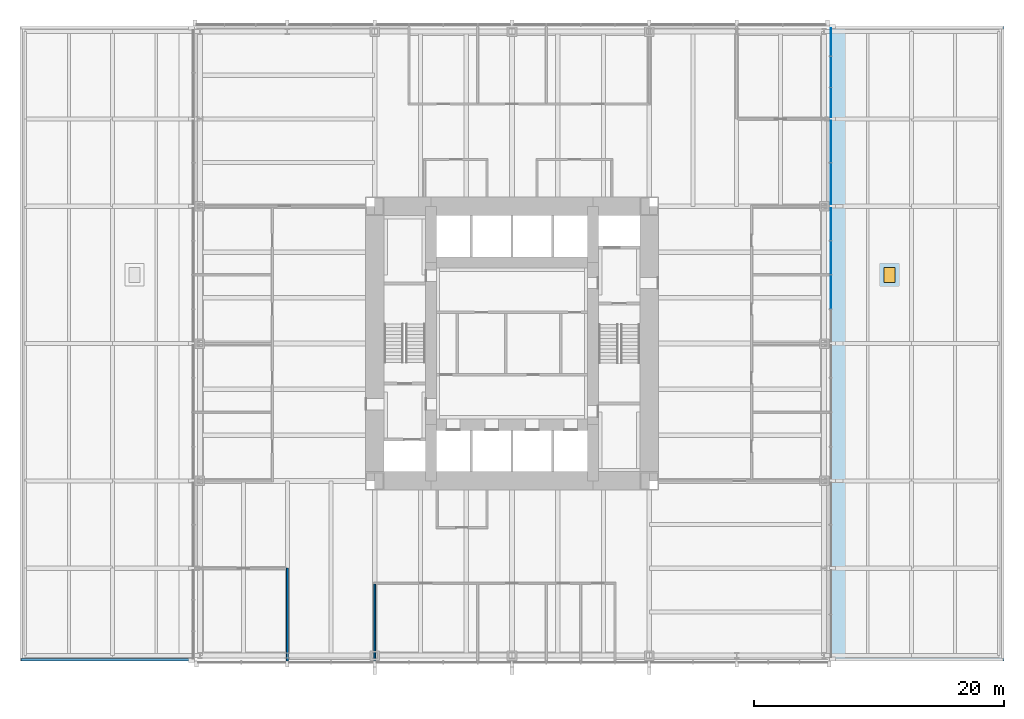
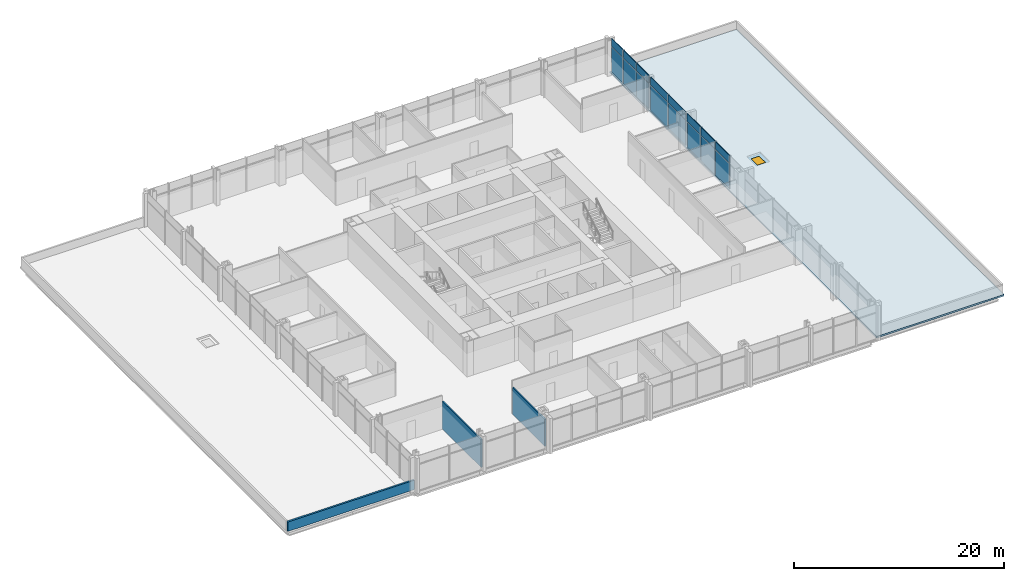
# One storey, part 11 of 15: 16 plates, 3 walls, 1 slab, 1 window, 1 opening, 1 element without a shape of its own.
"""IFC4 building model written with IfcOpenShell, lengths in metres."""

import ifcopenshell
import ifcopenshell.guid

model = None  # the IFC model being written
_history = None  # IfcOwnerHistory: only IFC2X3 demands one
_inside = {}  # id of a spatial element -> (the spatial element, [elements in it])
_under = {}  # id of a project, library or spatial element -> (it, [spatial elements below it])
_declared = {}  # id of a project -> (the project, [libraries it declares])
_typed = {}  # id of a type object -> (the type object, [elements of that type])
_made_of = {}  # id of a material, layer set ... -> (it, [elements and type objects made of it])


def new_model(schema):
    """Start an empty IFC model of exactly this schema.

    Asked for "IFC4X3", IfcOpenShell would pick the latest addendum, in which some entities
    have other attributes; the version numbers below select the first issue.
    IFC2X3 requires an IfcOwnerHistory on every rooted entity: one is made here for all.
    """
    global model, _history
    if schema == "IFC4X3":
        model = ifcopenshell.file(schema_version=(4, 3, 0, 0))
    else:
        model = ifcopenshell.file(schema=schema)
    _inside.clear()
    _under.clear()
    _declared.clear()
    _typed.clear()
    _made_of.clear()
    _history = None
    if model.schema == "IFC2X3":
        org = make("IfcOrganization", Name="unknown")
        user = make(
            "IfcPersonAndOrganization",
            ThePerson=make("IfcPerson", FamilyName="unknown"),
            TheOrganization=org,
        )
        app = make(
            "IfcApplication",
            ApplicationDeveloper=org,
            Version="unknown",
            ApplicationFullName="unknown",
            ApplicationIdentifier="unknown",
        )
        _history = make(
            "IfcOwnerHistory",
            OwningUser=user,
            OwningApplication=app,
            ChangeAction="ADDED",
            CreationDate=0,
        )
    return model


def make(cls, **values):
    """One entity of the class cls with the attributes given. An attribute that is None is left unset."""
    return model.create_entity(
        cls, **{name: value for name, value in values.items() if value is not None}
    )


def rooted(cls, **values):
    """An entity with a GlobalId (a new one), such as an element, a storey or a relation."""
    return make(cls, GlobalId=ifcopenshell.guid.new(), OwnerHistory=_history, **values)


def si_unit(unit_type, name, prefix=None):
    """IfcSIUnit, for example si_unit("LENGTHUNIT", "METRE", prefix="MILLI")."""
    return make("IfcSIUnit", UnitType=unit_type, Prefix=prefix, Name=name)


def assignment(units):
    """IfcUnitAssignment: the units of a project."""
    return None if units is None else make("IfcUnitAssignment", Units=units)


def point(xyz):
    """IfcCartesianPoint."""
    return None if xyz is None else make("IfcCartesianPoint", Coordinates=xyz)


def direction(xyz):
    """IfcDirection."""
    return None if xyz is None else make("IfcDirection", DirectionRatios=xyz)


def frame(location, z_axis=None, x_axis=None):
    """IfcAxis2Placement3D, a coordinate frame: its origin and axes. An axis left out is left unset."""
    return make(
        "IfcAxis2Placement3D",
        Location=point(location),
        Axis=direction(z_axis),
        RefDirection=direction(x_axis),
    )


def frame_2d(location, x_axis=None):
    """IfcAxis2Placement2D, a coordinate frame in the plane: its origin and x axis."""
    return make(
        "IfcAxis2Placement2D", Location=point(location), RefDirection=direction(x_axis)
    )


def origin():
    """The frame at (0, 0, 0) with its axes left unset."""
    return frame((0.0, 0.0, 0.0))


def origin_2d():
    """The frame at (0, 0) in the plane with its x axis left unset."""
    return frame_2d((0.0, 0.0))


def place(relative_to, where):
    """IfcLocalPlacement: puts the frame where relative to a parent placement (None: the world)."""
    return make(
        "IfcLocalPlacement", PlacementRelTo=relative_to, RelativePlacement=where
    )


def context(
    kind, dimensions, precision=None, world=None, true_north=None, identifier=None
):
    """IfcGeometricRepresentationContext, for example the 3D "Model" context."""
    return make(
        "IfcGeometricRepresentationContext",
        ContextIdentifier=identifier,
        ContextType=kind,
        CoordinateSpaceDimension=dimensions,
        Precision=precision,
        WorldCoordinateSystem=world,
        TrueNorth=true_north,
    )


def subcontext(parent, identifier, kind, view, scale=None):
    """IfcGeometricRepresentationSubContext, for example "Body" below "Model"."""
    return make(
        "IfcGeometricRepresentationSubContext",
        ContextIdentifier=identifier,
        ContextType=kind,
        ParentContext=parent,
        TargetScale=scale,
        TargetView=view,
    )


def project(units=None, contexts=None):
    """IfcProject with its units and contexts."""
    return rooted(
        "IfcProject",
        Name="project",
        RepresentationContexts=contexts,
        UnitsInContext=assignment(units),
    )


def spatial(cls, under=None, at=None, **own):
    """A site, building, storey or space (cls), placed at a placement, below another one or the project."""
    s = rooted(cls, ObjectPlacement=at, **own)
    if under is not None:
        _under.setdefault(under.id(), (under, []))[1].append(s)
    return s


def polyline(points):
    """IfcPolyline through the points."""
    return make("IfcPolyline", Points=[point(p) for p in points])


def profile(cls, at=None, kind="AREA", **sizes):
    """A parametric profile (cls). Its sizes go by their IFC names, for example OverallWidth=200.0."""
    return make(cls, ProfileType=kind, Position=at, **sizes)


def rectangle(**sizes):
    """IfcRectangleProfileDef."""
    return profile("IfcRectangleProfileDef", **sizes)


def outline(outer, holes=None, kind="AREA"):
    """IfcArbitraryClosedProfileDef: a profile drawn as a closed curve; with holes, ...WithVoids."""
    if holes is None:
        return make("IfcArbitraryClosedProfileDef", ProfileType=kind, OuterCurve=outer)
    return make(
        "IfcArbitraryProfileDefWithVoids",
        ProfileType=kind,
        OuterCurve=outer,
        InnerCurves=holes,
    )


def extrude(swept, where, along, depth):
    """IfcExtrudedAreaSolid: the profile swept, set in the frame where, extruded along a direction by depth."""
    return make(
        "IfcExtrudedAreaSolid",
        SweptArea=swept,
        Position=where,
        ExtrudedDirection=direction(along),
        Depth=depth,
    )


def shape(context_of_items, identifier, shape_type, items):
    """IfcShapeRepresentation: the items that make up one representation, for example the "Body"."""
    return make(
        "IfcShapeRepresentation",
        ContextOfItems=context_of_items,
        RepresentationIdentifier=identifier,
        RepresentationType=shape_type,
        Items=items,
    )


def material(Name=None, Category=None):
    """IfcMaterial."""
    return make("IfcMaterial", Name=Name, Category=Category)


def layer(
    of_material, thickness, ventilated=None, Name=None, Category=None, Priority=None
):
    """IfcMaterialLayer: one layer of a wall or slab, of a material (None: an air gap)."""
    return make(
        "IfcMaterialLayer",
        Material=of_material,
        LayerThickness=thickness,
        IsVentilated=ventilated,
        Name=Name,
        Category=Category,
        Priority=Priority,
    )


def layer_set(layers, Name=None):
    """IfcMaterialLayerSet."""
    return make("IfcMaterialLayerSet", MaterialLayers=layers, LayerSetName=Name)


def made_of(thing, what):
    """Note that an element or type object is made of a material, layer set ...; save() writes the relation."""
    if what is not None:
        _made_of.setdefault(what.id(), (what, []))[1].append(thing)
    return thing


def type_object(cls, material=None, **own):
    """A type object (cls), such as IfcWallType, which elements share."""
    return made_of(rooted(cls, **own), material)


def element(
    cls,
    number,
    at=None,
    inside=None,
    cuts=None,
    type_object=None,
    material=None,
    context=None,
    identifier="Body",
    shape_type=None,
    held_by="IfcProductDefinitionShape",
    body=None,
    shapes=None,
    **own,
):
    """One element of the class cls, such as IfcWall. Its Tag is "e" and its number.

    at: its placement. inside: the storey or other place that contains it. cuts: it is an
    opening in that element (IfcRelVoidsElement). A single representation is given by context,
    identifier, shape_type and body (its items); several are given by shapes. held_by: the class
    of the entity that holds the representations. save() writes the other relations.
    """
    e = rooted(cls, Tag="e%d" % number, ObjectPlacement=at, **own)
    if body is not None:
        shapes = [shape(context, identifier, shape_type, body)]
    if shapes is not None:
        e.Representation = make(held_by, Representations=shapes)
    if inside is not None:
        _inside.setdefault(inside.id(), (inside, []))[1].append(e)
    if cuts is not None:
        rooted(
            "IfcRelVoidsElement", RelatingBuildingElement=cuts, RelatedOpeningElement=e
        )
    if type_object is not None:
        _typed.setdefault(type_object.id(), (type_object, []))[1].append(e)
    return made_of(e, material)


def fill(opening, filler):
    """IfcRelFillsElement: the door or window that sits in an opening."""
    return rooted(
        "IfcRelFillsElement",
        RelatingOpeningElement=opening,
        RelatedBuildingElement=filler,
    )


def aggregate(whole, parts):
    """IfcRelAggregates: a whole, such as a stair, and the parts it consists of."""
    return rooted("IfcRelAggregates", RelatingObject=whole, RelatedObjects=parts)


def save(model, path):
    """Write the relations noted so far, then the file.

    IfcRelAggregates (storeys below a building ...), IfcRelContainedInSpatialStructure (elements
    in a storey), IfcRelDefinesByType, IfcRelAssociatesMaterial and IfcRelDeclares: one each for
    every whole, place, type object, material and project.
    """
    for whole, parts in _under.values():
        aggregate(whole, parts)
    for where, things in _inside.values():
        rooted(
            "IfcRelContainedInSpatialStructure",
            RelatedElements=things,
            RelatingStructure=where,
        )
    for kind, things in _typed.values():
        rooted("IfcRelDefinesByType", RelatedObjects=things, RelatingType=kind)
    for what, things in _made_of.values():
        rooted("IfcRelAssociatesMaterial", RelatedObjects=things, RelatingMaterial=what)
    for by, libraries in _declared.values():
        rooted("IfcRelDeclares", RelatingContext=by, RelatedDefinitions=libraries)
    model.write(path)


model = new_model("IFC4")

# Units and contexts
model_context = context("Model", 3, precision=1e-05, world=origin(), true_north=direction((0.0, 1.0)))
body_context = subcontext(model_context, "Body", "Model", "MODEL_VIEW")
ifc_project = project(units=[si_unit("LENGTHUNIT", "METRE"), si_unit("AREAUNIT", "SQUARE_METRE"), si_unit("VOLUMEUNIT", "CUBIC_METRE"), si_unit("PLANEANGLEUNIT", "RADIAN"), si_unit("MASSUNIT", "GRAM", prefix="KILO")], contexts=[model_context])

# Site, building, storey
site_placement = place(None, origin())
site = spatial("IfcSite", under=ifc_project, at=site_placement, CompositionType="ELEMENT")
building_placement = place(site_placement, origin())
building = spatial("IfcBuilding", under=site, at=building_placement, Name="Trevanion Tower", CompositionType="ELEMENT")
storey_placement = place(building_placement, frame((0.0, 0.0, 16.0)))
storey = spatial("IfcBuildingStorey", under=building, at=storey_placement, Name="L03", CompositionType="ELEMENT", Elevation=16.0)

# Curtain wall, plates
ifc_material_1 = material(Name="Aluminium and glass", Category="aluminium")
curtain_wall_type = type_object("IfcCurtainWallType", Name="CW1 curtain wall", PredefinedType="USERDEFINED", material=ifc_material_1)
curtain_wall_placement = place(storey_placement, origin())
curtain_wall = element("IfcCurtainWall", 1, at=curtain_wall_placement, inside=storey, type_object=curtain_wall_type, Name="CW1 L03 0", ObjectType="UNITISED CURTAIN WALL", PredefinedType="USERDEFINED")
ifc_material_2 = material(Name="Aluminium spandrel panel", Category="aluminium")
ifc_layer_1 = layer(ifc_material_2, 0.06005859375)
ifc_layer_set_1 = layer_set([ifc_layer_1], Name="CW1 spandrel panel")
plate_type_1 = type_object("IfcPlateType", Name="CW1 spandrel panel", PredefinedType="CURTAIN_PANEL", material=ifc_layer_set_1)
plate_1_placement = place(storey_placement, frame((25.550048828125, 4.125, 2.997314453125), z_axis=(0.0, 0.0, 1.0), x_axis=(0.0, 1.0, 0.0)))
plate_1 = element("IfcPlate", 2, at=plate_1_placement, type_object=plate_type_1, Name="CW1 panel 10.2", PredefinedType="CURTAIN_PANEL", context=body_context, shape_type="SweptSolid", body=[
    extrude(rectangle(XDim=2.675048828125, YDim=0.06005859375, at=origin_2d()), origin(), (0.0, 0.0, 1.0), 0.91259765625),
])
plate_2_placement = place(storey_placement, frame((25.550048828125, 6.875, 2.997314453125), z_axis=(0.0, 0.0, 1.0), x_axis=(0.0, 1.0, 0.0)))
plate_2 = element("IfcPlate", 3, at=plate_2_placement, type_object=plate_type_1, Name="CW1 panel 11.2", PredefinedType="CURTAIN_PANEL", context=body_context, shape_type="SweptSolid", body=[
    extrude(rectangle(XDim=2.675048828125, YDim=0.06005859375, at=origin_2d()), origin(), (0.0, 0.0, 1.0), 0.91259765625),
])
plate_3_placement = place(storey_placement, frame((25.550048828125, 9.56884765625, 2.997314453125), z_axis=(0.0, 0.0, 1.0), x_axis=(0.0, 1.0, 0.0)))
plate_3 = element("IfcPlate", 4, at=plate_3_placement, type_object=plate_type_1, Name="CW1 panel 12.2", PredefinedType="CURTAIN_PANEL", context=body_context, shape_type="SweptSolid", body=[
    extrude(rectangle(XDim=2.5625, YDim=0.06005859375, at=origin_2d()), origin(), (0.0, 0.0, 1.0), 0.91259765625),
])
plate_4_placement = place(storey_placement, frame((25.550048828125, 12.80615234375, 2.997314453125), z_axis=(0.0, 0.0, 1.0), x_axis=(0.0, 1.0, 0.0)))
plate_4 = element("IfcPlate", 5, at=plate_4_placement, type_object=plate_type_1, Name="CW1 panel 13.2", PredefinedType="CURTAIN_PANEL", context=body_context, shape_type="SweptSolid", body=[
    extrude(rectangle(XDim=3.3125, YDim=0.06005859375, at=origin_2d()), origin(), (0.0, 0.0, 1.0), 0.91259765625),
])
plate_5_placement = place(storey_placement, frame((25.550048828125, 16.19384765625, 2.997314453125), z_axis=(0.0, 0.0, 1.0), x_axis=(0.0, 1.0, 0.0)))
plate_5 = element("IfcPlate", 6, at=plate_5_placement, type_object=plate_type_1, Name="CW1 panel 14.2", PredefinedType="CURTAIN_PANEL", context=body_context, shape_type="SweptSolid", body=[
    extrude(rectangle(XDim=3.3125, YDim=0.06005859375, at=origin_2d()), origin(), (0.0, 0.0, 1.0), 0.91259765625),
])
plate_6_placement = place(storey_placement, frame((25.550048828125, 19.314697265625, 2.997314453125), z_axis=(0.0, 0.0, 1.0), x_axis=(0.0, 1.0, 0.0)))
plate_6 = element("IfcPlate", 7, at=plate_6_placement, type_object=plate_type_1, Name="CW1 panel 15.2", PredefinedType="CURTAIN_PANEL", context=body_context, shape_type="SweptSolid", body=[
    extrude(rectangle(XDim=2.3291015625, YDim=0.06005859375, at=origin_2d()), origin(), (0.0, 0.0, 1.0), 0.91259765625),
])
plate_7_placement = place(storey_placement, frame((25.550048828125, 21.77490234375, 2.997314453125), z_axis=(0.0, 0.0, 1.0), x_axis=(0.0, 1.0, 0.0)))
plate_7 = element("IfcPlate", 8, at=plate_7_placement, type_object=plate_type_1, Name="CW1 panel 16.2", PredefinedType="CURTAIN_PANEL", context=body_context, shape_type="SweptSolid", body=[
    extrude(rectangle(XDim=2.441650390625, YDim=0.06005859375, at=origin_2d()), origin(), (0.0, 0.0, 1.0), 0.91259765625),
])
plate_8_placement = place(storey_placement, frame((25.550048828125, 24.160400390625, 2.997314453125), z_axis=(0.0, 0.0, 1.0), x_axis=(0.0, 1.0, 0.0)))
plate_8 = element("IfcPlate", 9, at=plate_8_placement, type_object=plate_type_1, Name="CW1 panel 17.2", PredefinedType="CURTAIN_PANEL", context=body_context, shape_type="SweptSolid", body=[
    extrude(rectangle(XDim=2.17919921875, YDim=0.06005859375, at=origin_2d()), origin(), (0.0, 0.0, 1.0), 0.91259765625),
])
ifc_material_3 = material(Name="Insulating glass unit", Category="glass")
ifc_layer_2 = layer(ifc_material_3, 0.028076171875)
ifc_layer_set_2 = layer_set([ifc_layer_2], Name="CW1 vision panel")
plate_type_2 = type_object("IfcPlateType", Name="CW1 vision panel", PredefinedType="CURTAIN_PANEL", material=ifc_layer_set_2)
plate_9_placement = place(storey_placement, frame((25.550048828125, 4.125, -0.114990234375), z_axis=(0.0, 0.0, 1.0), x_axis=(0.0, 1.0, 0.0)))
plate_9 = element("IfcPlate", 10, at=plate_9_placement, type_object=plate_type_2, Name="CW1 panel 10.1", PredefinedType="CURTAIN_PANEL", context=body_context, shape_type="SweptSolid", body=[
    extrude(rectangle(XDim=2.675048828125, YDim=0.028076171875, at=origin_2d()), origin(), (0.0, 0.0, 1.0), 3.03759765625),
])
plate_10_placement = place(storey_placement, frame((25.550048828125, 6.875, -0.114990234375), z_axis=(0.0, 0.0, 1.0), x_axis=(0.0, 1.0, 0.0)))
plate_10 = element("IfcPlate", 11, at=plate_10_placement, type_object=plate_type_2, Name="CW1 panel 11.1", PredefinedType="CURTAIN_PANEL", context=body_context, shape_type="SweptSolid", body=[
    extrude(rectangle(XDim=2.675048828125, YDim=0.028076171875, at=origin_2d()), origin(), (0.0, 0.0, 1.0), 3.03759765625),
])
plate_11_placement = place(storey_placement, frame((25.550048828125, 9.56884765625, -0.114990234375), z_axis=(0.0, 0.0, 1.0), x_axis=(0.0, 1.0, 0.0)))
plate_11 = element("IfcPlate", 12, at=plate_11_placement, type_object=plate_type_2, Name="CW1 panel 12.1", PredefinedType="CURTAIN_PANEL", context=body_context, shape_type="SweptSolid", body=[
    extrude(rectangle(XDim=2.5625, YDim=0.028076171875, at=origin_2d()), origin(), (0.0, 0.0, 1.0), 3.03759765625),
])
plate_12_placement = place(storey_placement, frame((25.550048828125, 12.80615234375, -0.114990234375), z_axis=(0.0, 0.0, 1.0), x_axis=(0.0, 1.0, 0.0)))
plate_12 = element("IfcPlate", 13, at=plate_12_placement, type_object=plate_type_2, Name="CW1 panel 13.1", PredefinedType="CURTAIN_PANEL", context=body_context, shape_type="SweptSolid", body=[
    extrude(rectangle(XDim=3.3125, YDim=0.028076171875, at=origin_2d()), origin(), (0.0, 0.0, 1.0), 3.03759765625),
])
plate_13_placement = place(storey_placement, frame((25.550048828125, 16.19384765625, -0.114990234375), z_axis=(0.0, 0.0, 1.0), x_axis=(0.0, 1.0, 0.0)))
plate_13 = element("IfcPlate", 14, at=plate_13_placement, type_object=plate_type_2, Name="CW1 panel 14.1", PredefinedType="CURTAIN_PANEL", context=body_context, shape_type="SweptSolid", body=[
    extrude(rectangle(XDim=3.3125, YDim=0.028076171875, at=origin_2d()), origin(), (0.0, 0.0, 1.0), 3.03759765625),
])
plate_14_placement = place(storey_placement, frame((25.550048828125, 19.314697265625, -0.114990234375), z_axis=(0.0, 0.0, 1.0), x_axis=(0.0, 1.0, 0.0)))
plate_14 = element("IfcPlate", 15, at=plate_14_placement, type_object=plate_type_2, Name="CW1 panel 15.1", PredefinedType="CURTAIN_PANEL", context=body_context, shape_type="SweptSolid", body=[
    extrude(rectangle(XDim=2.3291015625, YDim=0.028076171875, at=origin_2d()), origin(), (0.0, 0.0, 1.0), 3.03759765625),
])
plate_15_placement = place(storey_placement, frame((25.550048828125, 21.77490234375, -0.114990234375), z_axis=(0.0, 0.0, 1.0), x_axis=(0.0, 1.0, 0.0)))
plate_15 = element("IfcPlate", 16, at=plate_15_placement, type_object=plate_type_2, Name="CW1 panel 16.1", PredefinedType="CURTAIN_PANEL", context=body_context, shape_type="SweptSolid", body=[
    extrude(rectangle(XDim=2.441650390625, YDim=0.028076171875, at=origin_2d()), origin(), (0.0, 0.0, 1.0), 3.03759765625),
])
plate_16_placement = place(storey_placement, frame((25.550048828125, 24.160400390625, -0.114990234375), z_axis=(0.0, 0.0, 1.0), x_axis=(0.0, 1.0, 0.0)))
plate_16 = element("IfcPlate", 17, at=plate_16_placement, type_object=plate_type_2, Name="CW1 panel 17.1", PredefinedType="CURTAIN_PANEL", context=body_context, shape_type="SweptSolid", body=[
    extrude(rectangle(XDim=2.17919921875, YDim=0.028076171875, at=origin_2d()), origin(), (0.0, 0.0, 1.0), 3.03759765625),
])
aggregate(curtain_wall, [plate_9, plate_1, plate_10, plate_2, plate_11, plate_3, plate_12, plate_4, plate_13, plate_5, plate_14, plate_6, plate_15, plate_7, plate_16, plate_8])

# Slab, opening, window
ifc_material_4 = material(Name="Concrete 5,000 psi on composite metal deck", Category="concrete")
ifc_layer_3 = layer(ifc_material_4, 0.18994140625)
ifc_layer_set_3 = layer_set([ifc_layer_3], Name="RS1 composite roof 190")
slab_type = type_object("IfcSlabType", Name="RS1 composite roof 190", PredefinedType="ROOF", material=ifc_layer_set_3)
slab_placement = place(storey_placement, frame((0.0, 0.0, -0.18994140625)))
slab = element("IfcSlab", 18, at=slab_placement, inside=storey, type_object=slab_type, Name="RS1 podium roof east", PredefinedType="ROOF", context=body_context, shape_type="SweptSolid", body=[
    extrude(outline(polyline([(25.419921875, -25.419921875), (39.419921875, -25.419921875), (39.419921875, 25.419921875), (25.419921875, 25.419921875), (25.419921875, -25.419921875)])), origin(), (0.0, 0.0, 1.0), 0.18994140625),
])
opening_placement = place(slab_placement, frame((30.25, 5.5, 0.0)))
opening = element("IfcOpeningElement", 19, at=opening_placement, cuts=slab, Name="Opening RH1", PredefinedType="OPENING", context=body_context, shape_type="SweptSolid", body=[
    extrude(rectangle(XDim=0.89990234375, YDim=1.199951171875, at=origin_2d()), origin(), (0.0, 0.0, 1.0), 0.18994140625),
])
ifc_material_5 = material(Name="Galvanised steel, insulated", Category="steel")
window_type = type_object("IfcWindowType", Name="RH1 roof access hatch 900x1200", PartitioningType="SINGLE_PANEL", PredefinedType="SKYLIGHT", material=ifc_material_5)
window_placement = place(opening_placement, frame((0.0, 0.0, 0.139892578125)))
window = element("IfcWindow", 20, at=window_placement, inside=storey, type_object=window_type, Name="RH1 L03", OverallHeight=1.199951171875, OverallWidth=0.89990234375, PartitioningType="SINGLE_PANEL", PredefinedType="SKYLIGHT", context=body_context, shape_type="SweptSolid", body=[
    extrude(rectangle(XDim=0.89990234375, YDim=1.199951171875, at=origin_2d()), origin(), (0.0, 0.0, 1.0), 0.050048828125),
])
fill(opening, window)

# Walls
ifc_material_6 = material(Name="Reinforced concrete parapet faced in bronze metal coping", Category="concrete")
ifc_layer_4 = layer(ifc_material_6, 0.199951171875)
ifc_layer_set_4 = layer_set([ifc_layer_4], Name="PP1 parapet 200")
wall_type_1 = type_object("IfcWallType", Name="PP1 parapet 200", PredefinedType="PARAPET", material=ifc_layer_set_4)
wall_1_placement = place(storey_placement, frame((-25.419921875, -25.320068359375, 0.0), z_axis=(0.0, 0.0, 1.0), x_axis=(-1.0, 0.0, 0.0)))
element("IfcWall", 21, at=wall_1_placement, inside=storey, type_object=wall_type_1, Name="PP1 L03 west 1", PredefinedType="PARAPET", context=body_context, shape_type="SweptSolid", body=[
    extrude(rectangle(XDim=13.900146484375, YDim=0.199951171875, at=frame_2d((6.9501953125, 0.0))), origin(), (0.0, 0.0, 1.0), 1.10009765625),
])
ifc_material_7 = material(Name="Gypsum board on steel studs", Category="steel")
ifc_layer_5 = layer(ifc_material_7, 0.14990234375)
ifc_layer_set_5 = layer_set([ifc_layer_5], Name="PT1 partition 150")
wall_type_2 = type_object("IfcWallType", Name="PT1 partition 150", PredefinedType="PARTITIONING", material=ifc_layer_set_5)
wall_2_placement = place(storey_placement, frame((-18.0, -18.0, 0.0), z_axis=(0.0, 0.0, 1.0), x_axis=(0.0, -1.0, 0.0)))
element("IfcWall", 22, at=wall_2_placement, inside=storey, type_object=wall_type_2, Name="PT1 L03 KW2a", PredefinedType="PARTITIONING", context=body_context, shape_type="SweptSolid", body=[
    extrude(rectangle(XDim=7.4150390625, YDim=0.14990234375, at=frame_2d((3.70751953125, 0.0))), origin(), (0.0, 0.0, 1.0), 3.216552734375),
])
wall_3_placement = place(storey_placement, frame((-11.0, -19.27490234375, 0.0), z_axis=(0.0, 0.0, 1.0), x_axis=(0.0, -1.0, 0.0)))
element("IfcWall", 23, at=wall_3_placement, inside=storey, type_object=wall_type_2, Name="PT1 L03 FC3S0", PredefinedType="PARTITIONING", context=body_context, shape_type="SweptSolid", body=[
    extrude(rectangle(XDim=6.14013671875, YDim=0.14990234375, at=frame_2d((3.070068359375, 0.0))), origin(), (0.0, 0.0, 1.0), 3.130126953125),
])

save(model, "model.ifc")
